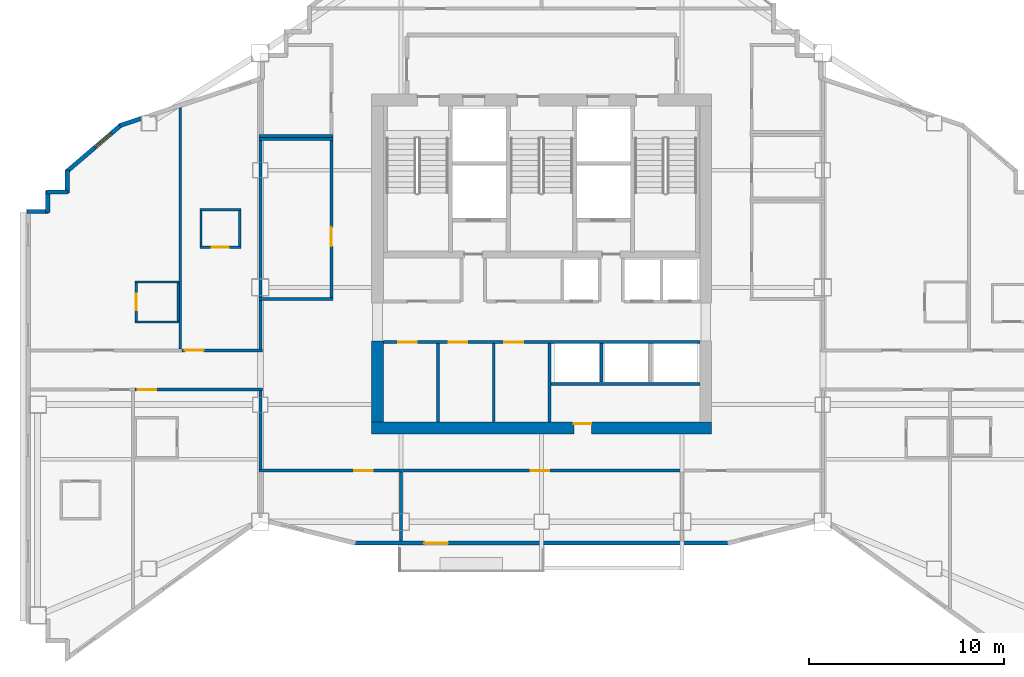
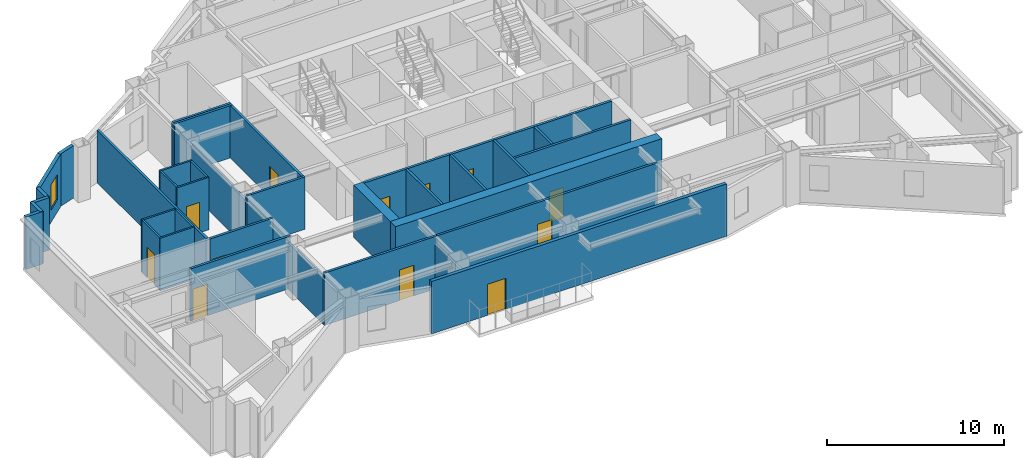
# One storey, part 5 of 12: 36 walls, 12 doors, 1 window, 13 openings.
"""IFC4 building model written with IfcOpenShell, lengths in metres."""

from ifc_helpers import new_model, si_unit, direction, frame, frame_2d, origin, place, context, subcontext, project, spatial, rectangle, extrude, material, layer, layer_set, type_object, element, fill, save


model = new_model("IFC4")

# Units and contexts
model_context = context("Model", 3, precision=1e-05, world=origin(), true_north=direction((0.0, 1.0)))
body_context = subcontext(model_context, "Body", "Model", "MODEL_VIEW")
ifc_project = project(units=[si_unit("LENGTHUNIT", "METRE"), si_unit("AREAUNIT", "SQUARE_METRE"), si_unit("VOLUMEUNIT", "CUBIC_METRE"), si_unit("PLANEANGLEUNIT", "RADIAN"), si_unit("MASSUNIT", "GRAM", prefix="KILO")], contexts=[model_context])

# Site, building, storey
site_placement = place(None, origin())
site = spatial("IfcSite", under=ifc_project, at=site_placement, CompositionType="ELEMENT")
building_placement = place(site_placement, origin())
building = spatial("IfcBuilding", under=site, at=building_placement, Name="Haolan Belvedere Tower", CompositionType="ELEMENT")
storey_placement = place(building_placement, frame((0.0, 0.0, 184.199951171875)))
storey = spatial("IfcBuildingStorey", under=building, at=storey_placement, Name="L46", CompositionType="ELEMENT", Elevation=184.199951171875)

# Wall, opening, door
ifc_material_1 = material(Name="Concrete C60/75", Category="concrete")
ifc_layer_1 = layer(ifc_material_1, 0.60009765625, Name="Concrete C60/75")
ifc_layer_set_1 = layer_set([ifc_layer_1], Name="Concrete C60/75")
wall_type_1 = type_object("IfcWallType", Name="WL-CORE-600", PredefinedType="SHEAR", material=ifc_layer_set_1)
wall_1_placement = place(storey_placement, frame((29.699951171875, 26.39990234375, 0.0), z_axis=(0.0, 0.0, 1.0), x_axis=(1.0, 0.0, 0.0)))
wall_1 = element("IfcWall", 1, at=wall_1_placement, inside=storey, type_object=wall_type_1, Name="L46 central core south shear wall", PredefinedType="SHEAR", context=body_context, shape_type="SweptSolid", body=[
    extrude(rectangle(XDim=17.400146484375, YDim=0.60009765625, at=frame_2d((8.7001953125, 0.0))), origin(), (0.0, 0.0, 1.0), 3.6201171875),
])
opening_1_placement = place(wall_1_placement, frame((11.25, 0.0, 0.0), z_axis=(0.0, 0.0, 1.0), x_axis=(-1.0, 0.0, 0.0)))
opening_1 = element("IfcOpeningElement", 2, at=opening_1_placement, cuts=wall_1, Name="Opening FD-05", PredefinedType="OPENING", context=body_context, shape_type="SweptSolid", body=[
    extrude(rectangle(XDim=0.89990234375, YDim=2.10009765625, at=frame_2d((0.449951171875, 1.050048828125))), frame((0.0, 0.31005859375, 0.0), z_axis=(0.0, -1.0, 0.0), x_axis=(1.0, 0.0, 0.0)), (0.0, 0.0, 1.0), 0.6201171875),
])
ifc_material_2 = material(Name="Galvanised fire-rated steel", Category="steel")
door_type_1 = type_object("IfcDoorType", Name="DR-FD60-900", OperationType="NOTDEFINED", PredefinedType="DOOR", material=ifc_material_2)
door_1_placement = place(opening_1_placement, origin())
door_1 = element("IfcDoor", 3, at=door_1_placement, inside=storey, type_object=door_type_1, Name="L46 door CD-L46-SCVE", OperationType="SINGLE_SWING_RIGHT", OverallHeight=2.10009765625, OverallWidth=0.89990234375, PredefinedType="DOOR", context=body_context, shape_type="SweptSolid", body=[
    extrude(rectangle(XDim=0.89990234375, YDim=2.10009765625, at=frame_2d((0.449951171875, 1.050048828125))), frame((0.0, -0.19482421875, 0.0), z_axis=(0.0, -1.0, 0.0), x_axis=(1.0, 0.0, 0.0)), (0.0, 0.0, 1.0), 0.050048828125),
])
fill(opening_1, door_1)

# Wall
wall_2_placement = place(storey_placement, frame((30.0, 26.699951171875, 0.0), z_axis=(0.0, 0.0, 1.0), x_axis=(0.0, 1.0, 0.0)))
element("IfcWall", 4, at=wall_2_placement, inside=storey, type_object=wall_type_1, Name="L46 central core shear wall WS", PredefinedType="SHEAR", context=body_context, shape_type="SweptSolid", body=[
    extrude(rectangle(XDim=4.150146484375, YDim=0.60009765625, at=frame_2d((2.0751953125, 0.0))), origin(), (0.0, 0.0, 1.0), 3.6201171875),
])

# Wall, opening, door
ifc_material_3 = material(Name="Precast concrete C40/50", Category="concrete")
ifc_layer_2 = layer(ifc_material_3, 0.219970703125, Name="Precast concrete C40/50")
ifc_layer_set_2 = layer_set([ifc_layer_2], Name="Precast concrete C40/50")
wall_type_2 = type_object("IfcWallType", Name="WL-EXT-220", PredefinedType="SOLIDWALL", material=ifc_layer_set_2)
wall_3_placement = place(storey_placement, frame((28.758544921875, 20.510009765625, 0.0), z_axis=(0.0, 0.0, 1.0), x_axis=(1.0, 0.0, 0.0)))
wall_3 = element("IfcWall", 5, at=wall_3_placement, inside=storey, type_object=wall_type_2, Name="L46 pale-metal exterior spandrel wall 1.1", PredefinedType="SOLIDWALL", context=body_context, shape_type="SweptSolid", body=[
    extrude(rectangle(XDim=19.282958984375, YDim=0.219970703125, at=frame_2d((9.6416015625, 0.0))), origin(), (0.0, 0.0, 1.0), 3.6201171875),
])
opening_2_placement = place(wall_3_placement, frame((4.841552734375, 0.0, 0.0), z_axis=(0.0, 0.0, 1.0), x_axis=(-1.0, 0.0, 0.0)))
opening_2 = element("IfcOpeningElement", 6, at=opening_2_placement, cuts=wall_3, Name="Opening BD-01", PredefinedType="OPENING", context=body_context, shape_type="SweptSolid", body=[
    extrude(rectangle(XDim=1.199951171875, YDim=2.14990234375, at=frame_2d((0.60009765625, 1.074951171875))), frame((0.0, 0.119873046875, 0.0), z_axis=(0.0, -1.0, 0.0), x_axis=(1.0, 0.0, 0.0)), (0.0, 0.0, 1.0), 0.239990234375),
])
ifc_material_4 = material(Name="Thermally broken pale-metal aluminium and Low-E glass", Category="aluminium")
door_type_2 = type_object("IfcDoorType", Name="DR-BAL-1200", OperationType="NOTDEFINED", PredefinedType="DOOR", material=ifc_material_4)
door_2_placement = place(opening_2_placement, origin())
door_2 = element("IfcDoor", 7, at=door_2_placement, inside=storey, type_object=door_type_2, Name="L46 tree-balcony access door 1", OperationType="SINGLE_SWING_RIGHT", OverallHeight=2.14990234375, OverallWidth=1.199951171875, PredefinedType="DOOR", context=body_context, shape_type="SweptSolid", body=[
    extrude(rectangle(XDim=1.199951171875, YDim=2.14990234375, at=frame_2d((0.60009765625, 1.074951171875))), frame((0.0, 0.02490234375, 0.0), z_axis=(0.0, -1.0, 0.0), x_axis=(1.0, 0.0, 0.0)), (0.0, 0.0, 1.0), 0.050048828125),
])
fill(opening_2, door_2)

# Wall
wall_4_placement = place(storey_placement, frame((17.907958984375, 42.25341796875, 0.0), z_axis=(0.0, 0.0, 1.0), x_axis=(-0.948662335685, -0.316290646166, 0.0)))
element("IfcWall", 8, at=wall_4_placement, inside=storey, type_object=wall_type_2, Name="L46 pale-metal exterior spandrel wall 29.2", PredefinedType="SOLIDWALL", context=body_context, shape_type="SweptSolid", body=[
    extrude(rectangle(XDim=1.164794921875, YDim=0.219970703125, at=frame_2d((0.58251953125, 0.0))), origin(), (0.0, 0.0, 1.0), 3.6201171875),
])

# Wall, opening, window
wall_5_placement = place(storey_placement, frame((16.89697265625, 41.938232421875, 0.0), z_axis=(0.0, 0.0, 1.0), x_axis=(-0.759279729622, -0.650764390686, 0.0)))
wall_5 = element("IfcWall", 9, at=wall_5_placement, inside=storey, type_object=wall_type_2, Name="L46 pale-metal exterior spandrel wall 30.1", PredefinedType="SOLIDWALL", context=body_context, shape_type="SweptSolid", body=[
    extrude(rectangle(XDim=3.725830078125, YDim=0.219970703125, at=frame_2d((1.86279296875, 0.0))), origin(), (0.0, 0.0, 1.0), 3.6201171875),
])
opening_3_placement = place(wall_5_placement, frame((0.699951171875, 0.0, 0.85009765625)))
opening_3 = element("IfcOpeningElement", 10, at=opening_3_placement, cuts=wall_5, Name="Opening W-03", PredefinedType="OPENING", context=body_context, shape_type="SweptSolid", body=[
    extrude(rectangle(XDim=1.10009765625, YDim=1.75, at=frame_2d((0.550048828125, 0.875))), frame((0.0, 0.119873046875, 0.0), z_axis=(0.0, -1.0, 0.0), x_axis=(1.0, 0.0, 0.0)), (0.0, 0.0, 1.0), 0.239990234375),
])
ifc_material_5 = material(Name="Anodised aluminium 6063-T6 and Low-E glass", Category="aluminium")
window_type = type_object("IfcWindowType", Name="WN-DECO-Z3", PartitioningType="SINGLE_PANEL", PredefinedType="WINDOW", material=ifc_material_5)
window_placement = place(opening_3_placement, origin())
window = element("IfcWindow", 11, at=window_placement, inside=storey, type_object=window_type, Name="L46 Art Deco chevron window 1", OverallHeight=1.75, OverallWidth=1.10009765625, PartitioningType="SINGLE_PANEL", PredefinedType="WINDOW", context=body_context, shape_type="SweptSolid", body=[
    extrude(rectangle(XDim=1.10009765625, YDim=1.75, at=frame_2d((0.550048828125, 0.875))), frame((0.0, 0.030029296875, 0.0), z_axis=(0.0, -1.0, 0.0), x_axis=(1.0, 0.0, 0.0)), (0.0, 0.0, 1.0), 0.06005859375),
])
fill(opening_3, window)

# Walls
wall_6_placement = place(storey_placement, frame((14.110107421875, 39.6044921875, 0.0), z_axis=(0.0, 0.0, 1.0), x_axis=(0.0, -1.0, 0.0)))
element("IfcWall", 12, at=wall_6_placement, inside=storey, type_object=wall_type_2, Name="L46 pale-metal exterior spandrel wall 31.1", PredefinedType="SOLIDWALL", context=body_context, shape_type="SweptSolid", body=[
    extrude(rectangle(XDim=1.16943359375, YDim=0.219970703125, at=frame_2d((0.584716796875, 0.0))), origin(), (0.0, 0.0, 1.0), 3.6201171875),
])
wall_7_placement = place(storey_placement, frame((14.1650390625, 38.489990234375, 0.0), z_axis=(0.0, 0.0, 1.0), x_axis=(-1.0, 0.0, 0.0)))
element("IfcWall", 13, at=wall_7_placement, inside=storey, type_object=wall_type_2, Name="L46 pale-metal exterior spandrel wall 32.1", PredefinedType="SOLIDWALL", context=body_context, shape_type="SweptSolid", body=[
    extrude(rectangle(XDim=1.110107421875, YDim=0.219970703125, at=frame_2d((0.55517578125, 0.0))), origin(), (0.0, 0.0, 1.0), 3.6201171875),
])
wall_8_placement = place(storey_placement, frame((13.110107421875, 38.544921875, 0.0), z_axis=(0.0, 0.0, 1.0), x_axis=(0.0, -1.0, 0.0)))
element("IfcWall", 14, at=wall_8_placement, inside=storey, type_object=wall_type_2, Name="L46 pale-metal exterior spandrel wall 33.1", PredefinedType="SOLIDWALL", context=body_context, shape_type="SweptSolid", body=[
    extrude(rectangle(XDim=1.10986328125, YDim=0.219970703125, at=frame_2d((0.554931640625, 0.0))), origin(), (0.0, 0.0, 1.0), 3.6201171875),
])
wall_9_placement = place(storey_placement, frame((13.1650390625, 37.489990234375, 0.0), z_axis=(0.0, 0.0, 1.0), x_axis=(-1.0, 0.0, 0.0)))
element("IfcWall", 15, at=wall_9_placement, inside=storey, type_object=wall_type_2, Name="L46 pale-metal exterior spandrel wall 34.1", PredefinedType="SOLIDWALL", context=body_context, shape_type="SweptSolid", body=[
    extrude(rectangle(XDim=1.110107421875, YDim=0.219970703125, at=frame_2d((0.55517578125, 0.0))), origin(), (0.0, 0.0, 1.0), 3.6201171875),
])
ifc_material_6 = material(Name="Double gypsum acoustic stud partition", Category="masonry")
ifc_layer_3 = layer(ifc_material_6, 0.14990234375, Name="Double gypsum acoustic stud partition")
ifc_layer_set_3 = layer_set([ifc_layer_3], Name="Double gypsum acoustic stud partition")
wall_type_3 = type_object("IfcWallType", Name="WL-PART-150", PredefinedType="PARTITIONING", material=ifc_layer_set_3)
for number, where, z_axis, x_axis, name in (
    (16, (33.10009765625, 26.7099609375, 0.0), (0.0, 0.0, 1.0), (0.0, 1.0, 0.0), "L46 interior partition IW-L46-DIV-REUSE-PM1"),
    (17, (35.949951171875, 26.7099609375, 0.0), (0.0, 0.0, 1.0), (0.0, 1.0, 0.0), "L46 interior partition IW-L46-DIV-REUSE-PM2"),
):
    element("IfcWall", number, at=place(storey_placement, frame(where, z_axis=z_axis, x_axis=x_axis)), inside=storey, type_object=wall_type_3, Name=name, PredefinedType="PARTITIONING", context=body_context, shape_type="SweptSolid", body=[
        extrude(rectangle(XDim=4.025146484375, YDim=0.14990234375, at=frame_2d((2.0126953125, 0.0))), origin(), (0.0, 0.0, 1.0), 3.6201171875),
    ])
wall_10_placement = place(storey_placement, frame((38.860107421875, 28.659912109375, 0.0), z_axis=(0.0, 0.0, 1.0), x_axis=(1.0, 0.0, 0.0)))
element("IfcWall", 18, at=wall_10_placement, inside=storey, type_object=wall_type_3, Name="L46 interior partition IW-L46-SSTRIP-E", PredefinedType="PARTITIONING", context=body_context, shape_type="SweptSolid", body=[
    extrude(rectangle(XDim=7.639892578125, YDim=0.14990234375, at=frame_2d((3.81982421875, 0.0))), origin(), (0.0, 0.0, 1.0), 3.6201171875),
])
for number, where, z_axis, x_axis, name in (
    (19, (23.919921875, 41.199951171875, 0.0), (0.0, 0.0, 1.0), (1.0, 0.0, 0.0), "L46 interior partition IW-L46-SAL-N"),
    (20, (23.919921875, 33.0, 0.0), (0.0, 0.0, 1.0), (1.0, 0.0, 0.0), "L46 interior partition IW-L46-SAL-S"),
):
    element("IfcWall", number, at=place(storey_placement, frame(where, z_axis=z_axis, x_axis=x_axis)), inside=storey, type_object=wall_type_3, Name=name, PredefinedType="PARTITIONING", context=body_context, shape_type="SweptSolid", body=[
        extrude(rectangle(XDim=3.800048828125, YDim=0.14990234375, at=frame_2d((1.89990234375, 0.0))), origin(), (0.0, 0.0, 1.0), 3.6201171875),
    ])
wall_11_placement = place(storey_placement, frame((24.0, 33.06005859375, 0.0), z_axis=(0.0, 0.0, 1.0), x_axis=(0.0, 1.0, 0.0)))
element("IfcWall", 21, at=wall_11_placement, inside=storey, type_object=wall_type_3, Name="L46 interior partition IW-L46-SAL-W", PredefinedType="PARTITIONING", context=body_context, shape_type="SweptSolid", body=[
    extrude(rectangle(XDim=8.079833984375, YDim=0.14990234375, at=frame_2d((4.0400390625, 0.0))), origin(), (0.0, 0.0, 1.0), 3.215087890625),
])

# Wall, opening, door
wall_12_placement = place(storey_placement, frame((27.639892578125, 33.06005859375, 0.0), z_axis=(0.0, 0.0, 1.0), x_axis=(0.0, 1.0, 0.0)))
wall_12 = element("IfcWall", 22, at=wall_12_placement, inside=storey, type_object=wall_type_3, Name="L46 interior partition IW-L46-SAL-E", PredefinedType="PARTITIONING", context=body_context, shape_type="SweptSolid", body=[
    extrude(rectangle(XDim=8.079833984375, YDim=0.14990234375, at=frame_2d((4.0400390625, 0.0))), origin(), (0.0, 0.0, 1.0), 3.6201171875),
])
opening_4_placement = place(wall_12_placement, frame((3.60986328125, 0.0, 0.0), z_axis=(0.0, 0.0, 1.0), x_axis=(-1.0, 0.0, 0.0)))
opening_4 = element("IfcOpeningElement", 23, at=opening_4_placement, cuts=wall_12, Name="Opening ID-03", PredefinedType="OPENING", context=body_context, shape_type="SweptSolid", body=[
    extrude(rectangle(XDim=0.949951171875, YDim=2.1201171875, at=frame_2d((0.47509765625, 1.06005859375))), frame((0.0, 0.0849609375, 0.0), z_axis=(0.0, -1.0, 0.0), x_axis=(1.0, 0.0, 0.0)), (0.0, 0.0, 1.0), 0.169921875),
])
ifc_material_7 = material(Name="Painted solid-core timber", Category="wood")
door_type_3 = type_object("IfcDoorType", Name="DR-INT-950", OperationType="NOTDEFINED", PredefinedType="DOOR", material=ifc_material_7)
door_3_placement = place(opening_4_placement, origin())
door_3 = element("IfcDoor", 24, at=door_3_placement, inside=storey, type_object=door_type_3, Name="L46 door ID-L46-SAL", OperationType="SINGLE_SWING_LEFT", OverallHeight=2.1201171875, OverallWidth=0.949951171875, PredefinedType="DOOR", context=body_context, shape_type="SweptSolid", body=[
    extrude(rectangle(XDim=0.949951171875, YDim=2.1201171875, at=frame_2d((0.47509765625, 1.06005859375))), frame((0.0, 0.02490234375, 0.0), z_axis=(0.0, -1.0, 0.0), x_axis=(1.0, 0.0, 0.0)), (0.0, 0.0, 1.0), 0.050048828125),
])
fill(opening_4, door_3)

# Wall
wall_13_placement = place(storey_placement, frame((23.919921875, 41.360107421875, 0.0), z_axis=(0.0, 0.0, 1.0), x_axis=(1.0, 0.0, 0.0)))
element("IfcWall", 25, at=wall_13_placement, inside=storey, type_object=wall_type_3, Name="L46 interior partition IW-L46-HSK-S", PredefinedType="PARTITIONING", context=body_context, shape_type="SweptSolid", body=[
    extrude(rectangle(XDim=3.800048828125, YDim=0.14990234375, at=frame_2d((1.89990234375, 0.0))), origin(), (0.0, 0.0, 1.0), 3.6201171875),
])

# Wall, opening, door
wall_14_placement = place(storey_placement, frame((23.919921875, 24.219970703125, 0.0), z_axis=(0.0, 0.0, 1.0), x_axis=(1.0, 0.0, 0.0)))
wall_14 = element("IfcWall", 26, at=wall_14_placement, inside=storey, type_object=wall_type_3, Name="L46 interior partition IW-L46-KS1-N", PredefinedType="PARTITIONING", context=body_context, shape_type="SweptSolid", body=[
    extrude(rectangle(XDim=7.360107421875, YDim=0.14990234375, at=frame_2d((3.68017578125, 0.0))), origin(), (0.0, 0.0, 1.0), 3.6201171875),
])
opening_5_placement = place(wall_14_placement, frame((5.844970703125, 0.0, 0.0), z_axis=(0.0, 0.0, 1.0), x_axis=(-1.0, 0.0, 0.0)))
opening_5 = element("IfcOpeningElement", 27, at=opening_5_placement, cuts=wall_14, Name="Opening ID-03", PredefinedType="OPENING", context=body_context, shape_type="SweptSolid", body=[
    extrude(rectangle(XDim=0.949951171875, YDim=2.1201171875, at=frame_2d((0.47509765625, 1.06005859375))), frame((0.0, 0.0849609375, 0.0), z_axis=(0.0, -1.0, 0.0), x_axis=(1.0, 0.0, 0.0)), (0.0, 0.0, 1.0), 0.169921875),
])
door_4_placement = place(opening_5_placement, origin())
door_4 = element("IfcDoor", 28, at=door_4_placement, inside=storey, type_object=door_type_3, Name="L46 door ID-L46-KS1", OperationType="SINGLE_SWING_RIGHT", OverallHeight=2.1201171875, OverallWidth=0.949951171875, PredefinedType="DOOR", context=body_context, shape_type="SweptSolid", body=[
    extrude(rectangle(XDim=0.949951171875, YDim=2.1201171875, at=frame_2d((0.47509765625, 1.06005859375))), frame((0.0, 0.02490234375, 0.0), z_axis=(0.0, -1.0, 0.0), x_axis=(1.0, 0.0, 0.0)), (0.0, 0.0, 1.0), 0.050048828125),
])
fill(opening_5, door_4)

# Wall
wall_15_placement = place(storey_placement, frame((31.199951171875, 20.612060546875, 0.0), z_axis=(0.0, 0.0, 1.0), x_axis=(0.0, 1.0, 0.0)))
element("IfcWall", 29, at=wall_15_placement, inside=storey, type_object=wall_type_3, Name="L46 interior partition IW-L46-KS1-E", PredefinedType="PARTITIONING", context=body_context, shape_type="SweptSolid", body=[
    extrude(rectangle(XDim=3.5478515625, YDim=0.14990234375, at=frame_2d((1.77392578125, 0.0))), origin(), (0.0, 0.0, 1.0), 3.10498046875),
])

# Wall, opening, door
wall_16_placement = place(storey_placement, frame((31.281982421875, 24.219970703125, 0.0), z_axis=(0.0, 0.0, 1.0), x_axis=(1.0, 0.0, 0.0)))
wall_16 = element("IfcWall", 30, at=wall_16_placement, inside=storey, type_object=wall_type_3, Name="L46 interior partition IW-L46-KS2-N", PredefinedType="PARTITIONING", context=body_context, shape_type="SweptSolid", body=[
    extrude(rectangle(XDim=14.39794921875, YDim=0.14990234375, at=frame_2d((7.198974609375, 0.0))), origin(), (0.0, 0.0, 1.0), 3.6201171875),
])
opening_6_placement = place(wall_16_placement, frame((7.512939453125, 0.0, 0.0), z_axis=(0.0, 0.0, 1.0), x_axis=(-1.0, 0.0, 0.0)))
opening_6 = element("IfcOpeningElement", 31, at=opening_6_placement, cuts=wall_16, Name="Opening ID-03", PredefinedType="OPENING", context=body_context, shape_type="SweptSolid", body=[
    extrude(rectangle(XDim=0.949951171875, YDim=2.1201171875, at=frame_2d((0.47509765625, 1.06005859375))), frame((0.0, 0.0849609375, 0.0), z_axis=(0.0, -1.0, 0.0), x_axis=(1.0, 0.0, 0.0)), (0.0, 0.0, 1.0), 0.169921875),
])
door_5_placement = place(opening_6_placement, origin())
door_5 = element("IfcDoor", 32, at=door_5_placement, inside=storey, type_object=door_type_3, Name="L46 door ID-L46-KS2", OperationType="SINGLE_SWING_LEFT", OverallHeight=2.1201171875, OverallWidth=0.949951171875, PredefinedType="DOOR", context=body_context, shape_type="SweptSolid", body=[
    extrude(rectangle(XDim=0.949951171875, YDim=2.1201171875, at=frame_2d((0.47509765625, 1.06005859375))), frame((0.0, 0.02490234375, 0.0), z_axis=(0.0, -1.0, 0.0), x_axis=(1.0, 0.0, 0.0)), (0.0, 0.0, 1.0), 0.050048828125),
])
fill(opening_6, door_5)

# Wall
wall_17_placement = place(storey_placement, frame((19.89990234375, 30.43994140625, 0.0), z_axis=(0.0, 0.0, 1.0), x_axis=(0.0, 1.0, 0.0)))
element("IfcWall", 33, at=wall_17_placement, inside=storey, type_object=wall_type_3, Name="L46 interior partition IW-L46-T2N1-E", PredefinedType="PARTITIONING", context=body_context, shape_type="SweptSolid", body=[
    extrude(rectangle(XDim=12.369873046875, YDim=0.14990234375, at=frame_2d((6.18505859375, 0.0))), origin(), (0.0, 0.0, 1.0), 3.6201171875),
])

# Wall, opening, door
wall_18_placement = place(storey_placement, frame((20.001953125, 30.3798828125, 0.0), z_axis=(0.0, 0.0, 1.0), x_axis=(1.0, 0.0, 0.0)))
wall_18 = element("IfcWall", 34, at=wall_18_placement, inside=storey, type_object=wall_type_3, Name="L46 interior partition IW-L46-T2N2-S", PredefinedType="PARTITIONING", context=body_context, shape_type="SweptSolid", body=[
    extrude(rectangle(XDim=4.09814453125, YDim=0.14990234375, at=frame_2d((2.049072265625, 0.0))), origin(), (0.0, 0.0, 1.0), 3.6201171875),
])
opening_7_placement = place(wall_18_placement, frame((0.139892578125, 0.0, 0.0)))
opening_7 = element("IfcOpeningElement", 35, at=opening_7_placement, cuts=wall_18, Name="Opening ID-02", PredefinedType="OPENING", context=body_context, shape_type="SweptSolid", body=[
    extrude(rectangle(XDim=0.949951171875, YDim=2.14990234375, at=frame_2d((0.47509765625, 1.074951171875))), frame((0.0, 0.0849609375, 0.0), z_axis=(0.0, -1.0, 0.0), x_axis=(1.0, 0.0, 0.0)), (0.0, 0.0, 1.0), 0.169921875),
])
ifc_material_8 = material(Name="Acoustic oak veneer fire-rated timber", Category="wood")
door_type_4 = type_object("IfcDoorType", Name="DR-GUEST-950", OperationType="NOTDEFINED", PredefinedType="DOOR", material=ifc_material_8)
door_6_placement = place(opening_7_placement, origin())
door_6 = element("IfcDoor", 36, at=door_6_placement, inside=storey, type_object=door_type_4, Name="L46 door ID-L46-T2N2-ENT", OperationType="SINGLE_SWING_RIGHT", OverallHeight=2.14990234375, OverallWidth=0.949951171875, PredefinedType="DOOR", context=body_context, shape_type="SweptSolid", body=[
    extrude(rectangle(XDim=0.949951171875, YDim=2.14990234375, at=frame_2d((0.47509765625, 1.074951171875))), frame((0.0, 0.02490234375, 0.0), z_axis=(0.0, -1.0, 0.0), x_axis=(1.0, 0.0, 0.0)), (0.0, 0.0, 1.0), 0.050048828125),
])
fill(opening_7, door_6)

# Wall
wall_19_placement = place(storey_placement, frame((24.0, 30.43994140625, 0.0), z_axis=(0.0, 0.0, 1.0), x_axis=(0.0, 1.0, 0.0)))
element("IfcWall", 37, at=wall_19_placement, inside=storey, type_object=wall_type_3, Name="L46 interior partition IW-L46-T2N2-E", PredefinedType="PARTITIONING", context=body_context, shape_type="SweptSolid", body=[
    extrude(rectangle(XDim=2.5, YDim=0.14990234375, at=frame_2d((1.25, 0.0))), origin(), (0.0, 0.0, 1.0), 3.215087890625),
])

# Wall, opening, door
wall_20_placement = place(storey_placement, frame((17.58203125, 28.3701171875, 0.0), z_axis=(0.0, 0.0, 1.0), x_axis=(1.0, 0.0, 0.0)))
wall_20 = element("IfcWall", 38, at=wall_20_placement, inside=storey, type_object=wall_type_3, Name="L46 interior partition IW-L46-T2S2-N", PredefinedType="PARTITIONING", context=body_context, shape_type="SweptSolid", body=[
    extrude(rectangle(XDim=6.51806640625, YDim=0.14990234375, at=frame_2d((3.259033203125, 0.0))), origin(), (0.0, 0.0, 1.0), 3.6201171875),
])
opening_8_placement = place(wall_20_placement, frame((1.08984375, 0.0, 0.0), z_axis=(0.0, 0.0, 1.0), x_axis=(-1.0, 0.0, 0.0)))
opening_8 = element("IfcOpeningElement", 39, at=opening_8_placement, cuts=wall_20, Name="Opening ID-01", PredefinedType="OPENING", context=body_context, shape_type="SweptSolid", body=[
    extrude(rectangle(XDim=0.949951171875, YDim=2.179931640625, at=frame_2d((0.47509765625, 1.08984375))), frame((0.0, 0.0849609375, 0.0), z_axis=(0.0, -1.0, 0.0), x_axis=(1.0, 0.0, 0.0)), (0.0, 0.0, 1.0), 0.169921875),
])
ifc_material_9 = material(Name="Acoustic walnut veneer fire-rated timber", Category="wood")
door_type_5 = type_object("IfcDoorType", Name="DR-SUITE-950", OperationType="NOTDEFINED", PredefinedType="DOOR", material=ifc_material_9)
door_7_placement = place(opening_8_placement, origin())
door_7 = element("IfcDoor", 40, at=door_7_placement, inside=storey, type_object=door_type_5, Name="L46 door ID-L46-T2S2-ENT", OperationType="SINGLE_SWING_RIGHT", OverallHeight=2.179931640625, OverallWidth=0.949951171875, PredefinedType="DOOR", context=body_context, shape_type="SweptSolid", body=[
    extrude(rectangle(XDim=0.949951171875, YDim=2.179931640625, at=frame_2d((0.47509765625, 1.08984375))), frame((0.0, 0.02490234375, 0.0), z_axis=(0.0, -1.0, 0.0), x_axis=(1.0, 0.0, 0.0)), (0.0, 0.0, 1.0), 0.050048828125),
])
fill(opening_8, door_7)

# Wall
wall_21_placement = place(storey_placement, frame((24.0, 24.280029296875, 0.0), z_axis=(0.0, 0.0, 1.0), x_axis=(0.0, 1.0, 0.0)))
element("IfcWall", 41, at=wall_21_placement, inside=storey, type_object=wall_type_3, Name="L46 interior partition IW-L46-T2S2-E", PredefinedType="PARTITIONING", context=body_context, shape_type="SweptSolid", body=[
    extrude(rectangle(XDim=4.030029296875, YDim=0.14990234375, at=frame_2d((2.01513671875, 0.0))), origin(), (0.0, 0.0, 1.0), 3.215087890625),
])

# Wall, openings, doors
ifc_material_10 = material(Name="Gypsum fire shaftwall assembly", Category="masonry")
ifc_layer_4 = layer(ifc_material_10, 0.1650390625, Name="Gypsum fire shaftwall assembly")
ifc_layer_set_4 = layer_set([ifc_layer_4], Name="Gypsum fire shaftwall assembly")
wall_type_4 = type_object("IfcWallType", Name="WL-SHAFT-160", PredefinedType="SOLIDWALL", material=ifc_layer_set_4)
wall_22_placement = place(storey_placement, frame((30.300048828125, 30.800048828125, 0.0), z_axis=(0.0, 0.0, 1.0), x_axis=(1.0, 0.0, 0.0)))
wall_22 = element("IfcWall", 42, at=wall_22_placement, inside=storey, type_object=wall_type_4, Name="L46 interior partition IW-L46-ROW-PS", PredefinedType="SOLIDWALL", context=body_context, shape_type="SweptSolid", body=[
    extrude(rectangle(XDim=16.199951171875, YDim=0.159912109375, at=frame_2d((8.10009765625, 0.0))), origin(), (0.0, 0.0, 1.0), 3.6201171875),
])
opening_9_placement = place(wall_22_placement, frame((0.75, 0.0, 0.0)))
opening_9 = element("IfcOpeningElement", 43, at=opening_9_placement, cuts=wall_22, Name="Opening ID-03", PredefinedType="OPENING", context=body_context, shape_type="SweptSolid", body=[
    extrude(rectangle(XDim=0.949951171875, YDim=2.1201171875, at=frame_2d((0.47509765625, 1.06005859375))), frame((0.0, 0.08984375, 0.0), z_axis=(0.0, -1.0, 0.0), x_axis=(1.0, 0.0, 0.0)), (0.0, 0.0, 1.0), 0.179931640625),
])
opening_10_placement = place(wall_22_placement, frame((3.35009765625, 0.0, 0.0)))
opening_10 = element("IfcOpeningElement", 44, at=opening_10_placement, cuts=wall_22, Name="Opening ID-03", PredefinedType="OPENING", context=body_context, shape_type="SweptSolid", body=[
    extrude(rectangle(XDim=0.949951171875, YDim=2.1201171875, at=frame_2d((0.47509765625, 1.06005859375))), frame((0.0, 0.08984375, 0.0), z_axis=(0.0, -1.0, 0.0), x_axis=(1.0, 0.0, 0.0)), (0.0, 0.0, 1.0), 0.179931640625),
])
opening_11_placement = place(wall_22_placement, frame((6.199951171875, 0.0, 0.0)))
opening_11 = element("IfcOpeningElement", 45, at=opening_11_placement, cuts=wall_22, Name="Opening ID-03", PredefinedType="OPENING", context=body_context, shape_type="SweptSolid", body=[
    extrude(rectangle(XDim=0.949951171875, YDim=2.1201171875, at=frame_2d((0.47509765625, 1.06005859375))), frame((0.0, 0.08984375, 0.0), z_axis=(0.0, -1.0, 0.0), x_axis=(1.0, 0.0, 0.0)), (0.0, 0.0, 1.0), 0.179931640625),
])
door_8_placement = place(opening_9_placement, origin())
door_8 = element("IfcDoor", 46, at=door_8_placement, inside=storey, type_object=door_type_3, Name="L46 door ID-L46-CD-RPMA", OperationType="SINGLE_SWING_LEFT", OverallHeight=2.1201171875, OverallWidth=0.949951171875, PredefinedType="DOOR", context=body_context, shape_type="SweptSolid", body=[
    extrude(rectangle(XDim=0.949951171875, YDim=2.1201171875, at=frame_2d((0.47509765625, 1.06005859375))), frame((0.0, 0.02490234375, 0.0), z_axis=(0.0, -1.0, 0.0), x_axis=(1.0, 0.0, 0.0)), (0.0, 0.0, 1.0), 0.050048828125),
])
fill(opening_9, door_8)
door_9_placement = place(opening_10_placement, origin())
door_9 = element("IfcDoor", 47, at=door_9_placement, inside=storey, type_object=door_type_3, Name="L46 door ID-L46-CD-RPMB", OperationType="SINGLE_SWING_RIGHT", OverallHeight=2.1201171875, OverallWidth=0.949951171875, PredefinedType="DOOR", context=body_context, shape_type="SweptSolid", body=[
    extrude(rectangle(XDim=0.949951171875, YDim=2.1201171875, at=frame_2d((0.47509765625, 1.06005859375))), frame((0.0, 0.02490234375, 0.0), z_axis=(0.0, -1.0, 0.0), x_axis=(1.0, 0.0, 0.0)), (0.0, 0.0, 1.0), 0.050048828125),
])
fill(opening_10, door_9)
door_10_placement = place(opening_11_placement, origin())
door_10 = element("IfcDoor", 48, at=door_10_placement, inside=storey, type_object=door_type_3, Name="L46 door ID-L46-CD-RPMC", OperationType="SINGLE_SWING_LEFT", OverallHeight=2.1201171875, OverallWidth=0.949951171875, PredefinedType="DOOR", context=body_context, shape_type="SweptSolid", body=[
    extrude(rectangle(XDim=0.949951171875, YDim=2.1201171875, at=frame_2d((0.47509765625, 1.06005859375))), frame((0.0, 0.02490234375, 0.0), z_axis=(0.0, -1.0, 0.0), x_axis=(1.0, 0.0, 0.0)), (0.0, 0.0, 1.0), 0.050048828125),
])
fill(opening_11, door_10)

# Walls
wall_23_placement = place(storey_placement, frame((38.800048828125, 26.7099609375, 0.0), z_axis=(0.0, 0.0, 1.0), x_axis=(0.0, 1.0, 0.0)))
element("IfcWall", 49, at=wall_23_placement, inside=storey, type_object=wall_type_4, Name="L46 interior partition IW-L46-DIV-PM-OB", PredefinedType="SOLIDWALL", context=body_context, shape_type="SweptSolid", body=[
    extrude(rectangle(XDim=4.025146484375, YDim=0.14990234375, at=frame_2d((2.0126953125, 0.0))), origin(), (0.0, 0.0, 1.0), 3.6201171875),
])
wall_24_placement = place(storey_placement, frame((41.469970703125, 28.75, 0.0), z_axis=(0.0, 0.0, 1.0), x_axis=(0.0, 1.0, 0.0)))
element("IfcWall", 50, at=wall_24_placement, inside=storey, type_object=wall_type_4, Name="L46 interior partition IW-L46-DIV-OB1", PredefinedType="SOLIDWALL", context=body_context, shape_type="SweptSolid", body=[
    extrude(rectangle(XDim=1.985107421875, YDim=0.14990234375, at=frame_2d((0.99267578125, 0.0))), origin(), (0.0, 0.0, 1.0), 3.6201171875),
])
ifc_material_11 = material(Name="Moisture-resistant gypsum tile partition", Category="masonry")
ifc_layer_5 = layer(ifc_material_11, 0.1201171875, Name="Moisture-resistant gypsum tile partition")
ifc_layer_set_5 = layer_set([ifc_layer_5], Name="Moisture-resistant gypsum tile partition")
wall_type_5 = type_object("IfcWallType", Name="WL-WET-120", PredefinedType="PARTITIONING", material=ifc_layer_set_5)
for number, where, z_axis, x_axis, name in (
    (51, (17.590087890625, 33.8798828125, 0.0), (0.0, 0.0, 1.0), (1.0, 0.0, 0.0), "L46 interior partition IW-L46-T2N1-BN"),
    (52, (17.590087890625, 31.830078125, 0.0), (0.0, 0.0, 1.0), (1.0, 0.0, 0.0), "L46 interior partition IW-L46-T2N1-BS"),
):
    element("IfcWall", number, at=place(storey_placement, frame(where, z_axis=z_axis, x_axis=x_axis)), inside=storey, type_object=wall_type_5, Name=name, PredefinedType="PARTITIONING", context=body_context, shape_type="SweptSolid", body=[
        extrude(rectangle(XDim=2.25, YDim=0.1201171875, at=frame_2d((1.125, 0.0))), origin(), (0.0, 0.0, 1.0), 3.6201171875),
    ])

# Wall, opening, door
wall_25_placement = place(storey_placement, frame((17.64990234375, 31.875, 0.0), z_axis=(0.0, 0.0, 1.0), x_axis=(0.0, 1.0, 0.0)))
wall_25 = element("IfcWall", 53, at=wall_25_placement, inside=storey, type_object=wall_type_5, Name="L46 interior partition IW-L46-T2N1-BW", PredefinedType="PARTITIONING", context=body_context, shape_type="SweptSolid", body=[
    extrude(rectangle(XDim=1.9599609375, YDim=0.1201171875, at=frame_2d((0.97998046875, 0.0))), origin(), (0.0, 0.0, 1.0), 3.6201171875),
])
opening_12_placement = place(wall_25_placement, frame((1.405029296875, 0.0, 0.0), z_axis=(0.0, 0.0, 1.0), x_axis=(-1.0, 0.0, 0.0)))
opening_12 = element("IfcOpeningElement", 54, at=opening_12_placement, cuts=wall_25, Name="Opening ID-05", PredefinedType="OPENING", context=body_context, shape_type="SweptSolid", body=[
    extrude(rectangle(XDim=0.85009765625, YDim=2.10009765625, at=frame_2d((0.425048828125, 1.050048828125))), frame((0.0, 0.070068359375, 0.0), z_axis=(0.0, -1.0, 0.0), x_axis=(1.0, 0.0, 0.0)), (0.0, 0.0, 1.0), 0.14013671875),
])
ifc_material_12 = material(Name="Moisture-resistant lacquered timber", Category="wood")
door_type_6 = type_object("IfcDoorType", Name="DR-BATH-850", OperationType="NOTDEFINED", PredefinedType="DOOR", material=ifc_material_12)
door_11_placement = place(opening_12_placement, origin())
door_11 = element("IfcDoor", 55, at=door_11_placement, inside=storey, type_object=door_type_6, Name="L46 door ID-L46-T2N1-BATH", OperationType="SINGLE_SWING_RIGHT", OverallHeight=2.10009765625, OverallWidth=0.85009765625, PredefinedType="DOOR", context=body_context, shape_type="SweptSolid", body=[
    extrude(rectangle(XDim=0.85009765625, YDim=2.10009765625, at=frame_2d((0.425048828125, 1.050048828125))), frame((0.0, 0.02490234375, 0.0), z_axis=(0.0, -1.0, 0.0), x_axis=(1.0, 0.0, 0.0)), (0.0, 0.0, 1.0), 0.050048828125),
])
fill(opening_12, door_11)

# Walls
wall_26_placement = place(storey_placement, frame((19.800048828125, 31.875, 0.0), z_axis=(0.0, 0.0, 1.0), x_axis=(0.0, 1.0, 0.0)))
element("IfcWall", 56, at=wall_26_placement, inside=storey, type_object=wall_type_5, Name="L46 interior partition IW-L46-T2N1-BE", PredefinedType="PARTITIONING", context=body_context, shape_type="SweptSolid", body=[
    extrude(rectangle(XDim=1.9599609375, YDim=0.1201171875, at=frame_2d((0.97998046875, 0.0))), origin(), (0.0, 0.0, 1.0), 3.6201171875),
])
wall_27_placement = place(storey_placement, frame((20.89990234375, 37.5849609375, 0.0), z_axis=(0.0, 0.0, 1.0), x_axis=(1.0, 0.0, 0.0)))
element("IfcWall", 57, at=wall_27_placement, inside=storey, type_object=wall_type_5, Name="L46 interior partition IW-L46-T2N2-BN", PredefinedType="PARTITIONING", context=body_context, shape_type="SweptSolid", body=[
    extrude(rectangle(XDim=2.10009765625, YDim=0.1201171875, at=frame_2d((1.050048828125, 0.0))), origin(), (0.0, 0.0, 1.0), 3.6201171875),
])

# Wall, opening, door
wall_28_placement = place(storey_placement, frame((20.89990234375, 35.6650390625, 0.0), z_axis=(0.0, 0.0, 1.0), x_axis=(1.0, 0.0, 0.0)))
wall_28 = element("IfcWall", 58, at=wall_28_placement, inside=storey, type_object=wall_type_5, Name="L46 interior partition IW-L46-T2N2-BS", PredefinedType="PARTITIONING", context=body_context, shape_type="SweptSolid", body=[
    extrude(rectangle(XDim=2.10009765625, YDim=0.1201171875, at=frame_2d((1.050048828125, 0.0))), origin(), (0.0, 0.0, 1.0), 3.6201171875),
])
opening_13_placement = place(wall_28_placement, frame((0.625, 0.0, 0.0)))
opening_13 = element("IfcOpeningElement", 59, at=opening_13_placement, cuts=wall_28, Name="Opening ID-05", PredefinedType="OPENING", context=body_context, shape_type="SweptSolid", body=[
    extrude(rectangle(XDim=0.85009765625, YDim=2.10009765625, at=frame_2d((0.425048828125, 1.050048828125))), frame((0.0, 0.070068359375, 0.0), z_axis=(0.0, -1.0, 0.0), x_axis=(1.0, 0.0, 0.0)), (0.0, 0.0, 1.0), 0.14013671875),
])
door_12_placement = place(opening_13_placement, origin())
door_12 = element("IfcDoor", 60, at=door_12_placement, inside=storey, type_object=door_type_6, Name="L46 door ID-L46-T2N2-BATH", OperationType="SINGLE_SWING_LEFT", OverallHeight=2.10009765625, OverallWidth=0.85009765625, PredefinedType="DOOR", context=body_context, shape_type="SweptSolid", body=[
    extrude(rectangle(XDim=0.85009765625, YDim=2.10009765625, at=frame_2d((0.425048828125, 1.050048828125))), frame((0.0, 0.02490234375, 0.0), z_axis=(0.0, -1.0, 0.0), x_axis=(1.0, 0.0, 0.0)), (0.0, 0.0, 1.0), 0.050048828125),
])
fill(opening_13, door_12)

# Walls
for number, where, z_axis, x_axis, name in (
    (61, (20.9599609375, 35.7099609375, 0.0), (0.0, 0.0, 1.0), (0.0, 1.0, 0.0), "L46 interior partition IW-L46-T2N2-BW"),
    (62, (22.93994140625, 35.7099609375, 0.0), (0.0, 0.0, 1.0), (0.0, 1.0, 0.0), "L46 interior partition IW-L46-T2N2-BE"),
):
    element("IfcWall", number, at=place(storey_placement, frame(where, z_axis=z_axis, x_axis=x_axis)), inside=storey, type_object=wall_type_5, Name=name, PredefinedType="PARTITIONING", context=body_context, shape_type="SweptSolid", body=[
        extrude(rectangle(XDim=1.830078125, YDim=0.1201171875, at=frame_2d((0.9150390625, 0.0))), origin(), (0.0, 0.0, 1.0), 3.6201171875),
    ])

save(model, "model.ifc")
